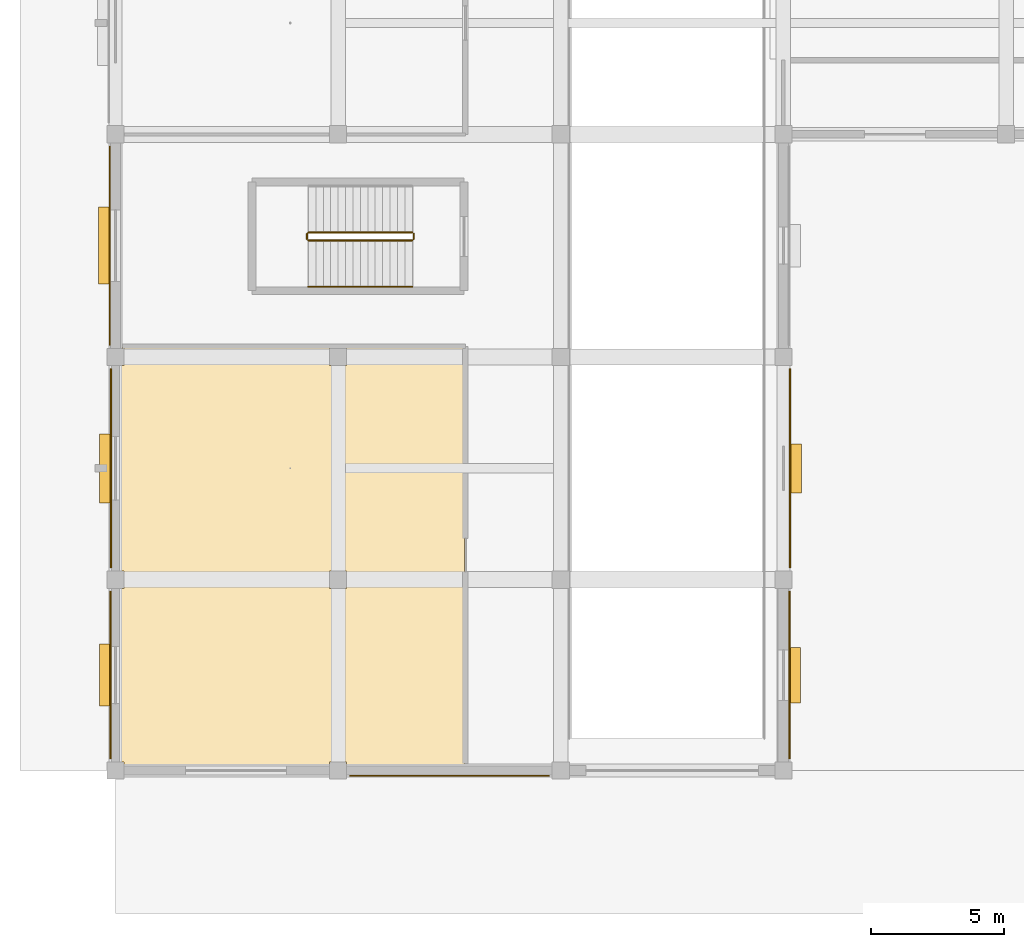
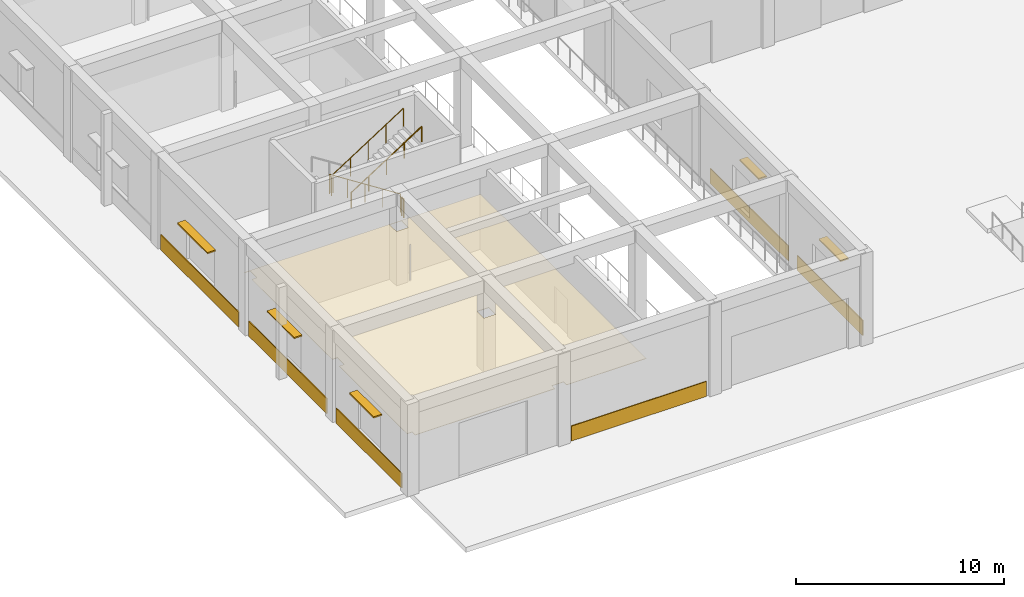
# One storey, part 141 of 167: 7 coverings, 5 railings, 5 shading devices.
"""IFC4 building model written with IfcOpenShell, lengths in metres."""

from ifc_helpers import new_model, si_unit, direction, frame, origin, origin_2d, place, context, subcontext, project, spatial, polyline, rectangle, circle, outline, extrude, material, layer, layer_set, type_object, element, save


model = new_model("IFC4")

# Units and contexts
model_context = context("Model", 3, precision=1e-05, world=origin(), true_north=direction((0.0, 1.0)))
body_context = subcontext(model_context, "Body", "Model", "MODEL_VIEW")
ifc_project = project(units=[si_unit("LENGTHUNIT", "METRE"), si_unit("AREAUNIT", "SQUARE_METRE"), si_unit("VOLUMEUNIT", "CUBIC_METRE"), si_unit("PLANEANGLEUNIT", "RADIAN"), si_unit("MASSUNIT", "GRAM", prefix="KILO")], contexts=[model_context])

# Site, building, storey
site_placement = place(None, origin())
site = spatial("IfcSite", under=ifc_project, at=site_placement, CompositionType="ELEMENT")
building_placement = place(site_placement, origin())
building = spatial("IfcBuilding", under=site, at=building_placement, Name="Varncliffe General Hospital", CompositionType="ELEMENT")
storey_placement = place(building_placement, origin())
storey = spatial("IfcBuildingStorey", under=building, at=storey_placement, Name="L00", CompositionType="ELEMENT", Elevation=0.0)

# Covering
ifc_material_1 = material(Name="Hygienic antimicrobial acoustic suspended ceiling tile", Category="gypsum")
ifc_layer_1 = layer(ifc_material_1, 0.02490234375)
ifc_layer_set_1 = layer_set([ifc_layer_1], Name="Hygienic antimicrobial acoustic suspended ceiling tile")
covering_type_1 = type_object("IfcCoveringType", Name="Antimicrobial Acoustic Suspended Ceiling CLG44", PredefinedType="CEILING", material=ifc_layer_set_1)
covering_1_placement = place(storey_placement, frame((0.0, 0.0, 3.175048828125)))
element("IfcCovering", 1, at=covering_1_placement, inside=storey, type_object=covering_type_1, Name="L00 Enclosed Six-Bay Ambulance Arrival Bay Suspended Ceiling", PredefinedType="CEILING", context=body_context, shape_type="SweptSolid", body=[
    extrude(outline(polyline([(8.72509765625, 0.0400390625), (8.72509765625, 0.324951171875), (8.074951171875, 0.324951171875), (8.074951171875, 0.0400390625), (0.324951171875, 0.0400390625), (0.324951171875, 0.324951171875), (0.0400390625, 0.324951171875), (0.0400390625, 6.875), (0.324951171875, 6.875), (0.324951171875, 7.52490234375), (0.0400390625, 7.52490234375), (0.0400390625, 15.27490234375), (0.324951171875, 15.27490234375), (0.324951171875, 15.925048828125), (0.0400390625, 15.925048828125), (0.0400390625, 15.9599609375), (13.159912109375, 15.9599609375), (13.159912109375, 0.0400390625), (8.72509765625, 0.0400390625)]), holes=[polyline([(8.72509765625, 6.875), (8.72509765625, 7.52490234375), (8.074951171875, 7.52490234375), (8.074951171875, 6.875), (8.72509765625, 6.875)]), polyline([(8.72509765625, 15.27490234375), (8.72509765625, 15.925048828125), (8.074951171875, 15.925048828125), (8.074951171875, 15.27490234375), (8.72509765625, 15.27490234375)])]), origin(), (0.0, 0.0, 1.0), 0.02490234375),
])

# Shading devices
ifc_material_2 = material(Name="Dark bronze extruded aluminium solar jalousie louvres", Category="aluminium")
ifc_layer_2 = layer(ifc_material_2, 0.080078125)
ifc_layer_set_2 = layer_set([ifc_layer_2], Name="Dark bronze extruded aluminium solar jalousie louvres")
shading_device_type = type_object("IfcShadingDeviceType", Name="Bronze Solar Jalousie Louvre Hood SHD18", PredefinedType="JALOUSIE", material=ifc_layer_set_2)
shading_device_1_placement = place(storey_placement, frame((25.64990234375, 11.39990234375, 3.06005859375), z_axis=(0.0, 0.0, 1.0), x_axis=(0.0, -1.0, 0.0)))
element("IfcShadingDevice", 2, at=shading_device_1_placement, inside=storey, type_object=shading_device_type, Name="L00 Bronze Window Sun-Shading Louvre 12", PredefinedType="JALOUSIE", context=body_context, shape_type="SweptSolid", body=[
    extrude(rectangle(XDim=1.85009765625, YDim=0.449951171875, at=origin_2d()), origin(), (0.0, 0.0, 1.0), 0.080078125),
])
shading_device_2_placement = place(storey_placement, frame((25.625, 3.60009765625, 3.06005859375), z_axis=(0.0, 0.0, 1.0), x_axis=(0.0, -1.0, 0.0)))
element("IfcShadingDevice", 3, at=shading_device_2_placement, inside=storey, type_object=shading_device_type, Name="L00 Bronze Window Sun-Shading Louvre 13", PredefinedType="JALOUSIE", context=body_context, shape_type="SweptSolid", body=[
    extrude(rectangle(XDim=2.10009765625, YDim=0.449951171875, at=origin_2d()), origin(), (0.0, 0.0, 1.0), 0.080078125),
])
shading_device_3_placement = place(storey_placement, frame((-0.3798828125, 3.60009765625, 3.06005859375), z_axis=(0.0, 0.0, 1.0), x_axis=(0.0, 1.0, 0.0)))
element("IfcShadingDevice", 4, at=shading_device_3_placement, inside=storey, type_object=shading_device_type, Name="L00 Bronze Window Sun-Shading Louvre 14", PredefinedType="JALOUSIE", context=body_context, shape_type="SweptSolid", body=[
    extrude(rectangle(XDim=2.35009765625, YDim=0.449951171875, at=origin_2d()), origin(), (0.0, 0.0, 1.0), 0.080078125),
])
shading_device_4_placement = place(storey_placement, frame((-0.3701171875, 11.39990234375, 3.06005859375), z_axis=(0.0, 0.0, 1.0), x_axis=(0.0, 1.0, 0.0)))
element("IfcShadingDevice", 5, at=shading_device_4_placement, inside=storey, type_object=shading_device_type, Name="L00 Bronze Window Sun-Shading Louvre 15", PredefinedType="JALOUSIE", context=body_context, shape_type="SweptSolid", body=[
    extrude(rectangle(XDim=2.60009765625, YDim=0.449951171875, at=origin_2d()), origin(), (0.0, 0.0, 1.0), 0.080078125),
])
shading_device_5_placement = place(storey_placement, frame((-0.4150390625, 19.800048828125, 3.06005859375), z_axis=(0.0, 0.0, 1.0), x_axis=(0.0, 1.0, 0.0)))
element("IfcShadingDevice", 6, at=shading_device_5_placement, inside=storey, type_object=shading_device_type, Name="L00 Bronze Window Sun-Shading Louvre 16", PredefinedType="JALOUSIE", context=body_context, shape_type="SweptSolid", body=[
    extrude(rectangle(XDim=2.89990234375, YDim=0.449951171875, at=origin_2d()), origin(), (0.0, 0.0, 1.0), 0.080078125),
])

# Coverings
ifc_material_3 = material(Name="Credit Valley buff limestone ashlar cladding", Category="masonry")
ifc_layer_3 = layer(ifc_material_3, 0.050048828125)
ifc_layer_set_3 = layer_set([ifc_layer_3], Name="Credit Valley buff limestone ashlar cladding")
covering_type_2 = type_object("IfcCoveringType", Name="Credit Valley Limestone Ashlar Plinth Cladding CLD17", PredefinedType="CLADDING", material=ifc_layer_set_3)
covering_2_placement = place(storey_placement, frame((25.449951171875, 11.39990234375, 0.010009765625), z_axis=(0.0, 0.0, 1.0), x_axis=(0.0, -1.0, 0.0)))
element("IfcCovering", 7, at=covering_2_placement, inside=storey, type_object=covering_type_2, Name="L00 Limestone Base Cladding 41", PredefinedType="CLADDING", context=body_context, shape_type="SweptSolid", body=[
    extrude(rectangle(XDim=7.513916015625, YDim=0.050048828125, at=origin_2d()), origin(), (0.0, 0.0, 1.0), 0.8798828125),
])
covering_3_placement = place(storey_placement, frame((25.425048828125, 3.60009765625, 0.010009765625), z_axis=(0.0, 0.0, 1.0), x_axis=(0.0, -1.0, 0.0)))
element("IfcCovering", 8, at=covering_3_placement, inside=storey, type_object=covering_type_2, Name="L00 Limestone Base Cladding 42", PredefinedType="CLADDING", context=body_context, shape_type="SweptSolid", body=[
    extrude(rectangle(XDim=6.31396484375, YDim=0.050048828125, at=origin_2d()), origin(), (0.0, 0.0, 1.0), 0.8798828125),
])
covering_4_placement = place(storey_placement, frame((12.60009765625, -0.199951171875, 0.010009765625), z_axis=(0.0, 0.0, 1.0), x_axis=(-1.0, 0.0, 0.0)))
element("IfcCovering", 9, at=covering_4_placement, inside=storey, type_object=covering_type_2, Name="L00 Limestone Base Cladding 43", PredefinedType="CLADDING", context=body_context, shape_type="SweptSolid", body=[
    extrude(rectangle(XDim=7.513916015625, YDim=0.050048828125, at=origin_2d()), origin(), (0.0, 0.0, 1.0), 0.8798828125),
])
covering_5_placement = place(storey_placement, frame((-0.179931640625, 3.60009765625, 0.010009765625), z_axis=(0.0, 0.0, 1.0), x_axis=(0.0, 1.0, 0.0)))
element("IfcCovering", 10, at=covering_5_placement, inside=storey, type_object=covering_type_2, Name="L00 Limestone Base Cladding 44", PredefinedType="CLADDING", context=body_context, shape_type="SweptSolid", body=[
    extrude(rectangle(XDim=6.31396484375, YDim=0.050048828125, at=origin_2d()), origin(), (0.0, 0.0, 1.0), 0.8798828125),
])
for number, where, z_axis, x_axis, name in (
    (11, (-0.169921875, 11.39990234375, 0.010009765625), (0.0, 0.0, 1.0), (0.0, 1.0, 0.0), "L00 Limestone Base Cladding 45"),
    (12, (-0.215087890625, 19.800048828125, 0.010009765625), (0.0, 0.0, 1.0), (0.0, 1.0, 0.0), "L00 Limestone Base Cladding 46"),
):
    element("IfcCovering", number, at=place(storey_placement, frame(where, z_axis=z_axis, x_axis=x_axis)), inside=storey, type_object=covering_type_2, Name=name, PredefinedType="CLADDING", context=body_context, shape_type="SweptSolid", body=[
        extrude(rectangle(XDim=7.513916015625, YDim=0.050048828125, at=origin_2d()), origin(), (0.0, 0.0, 1.0), 0.8798828125),
    ])

# Railings
ifc_material_4 = material(Name="Powder-coated hospital steel guardrail and handrail", Category="steel")
railing_type_1 = type_object("IfcRailingType", Name="Stair and Ramp Handrail HR46", PredefinedType="HANDRAIL", material=ifc_material_4)
railing_1_placement = place(storey_placement, frame((7.280029296875, 18.25, 3.06396484375)))
element("IfcRailing", 13, at=railing_1_placement, inside=storey, type_object=railing_type_1, Name="L00 ST08 stair handrail 2", PredefinedType="HANDRAIL", context=body_context, shape_type="SweptSolid", body=[
    extrude(circle(Radius=0.02392578125, at=origin_2d()), frame((0.0, 0.0, 0.8759765625), z_axis=(0.841171666519, 0.0, 0.540768182723), x_axis=(0.0, 1.0, 0.0)), (0.0, 0.0, 1.0), 4.66015625),
    extrude(circle(Radius=0.02099609375, at=origin_2d()), origin(), (0.0, 0.0, 1.0), 0.851806640625),
    extrude(circle(Radius=0.02099609375, at=origin_2d()), frame((0.97998046875, 0.0, 0.6298828125)), (0.0, 0.0, 1.0), 0.851806640625),
    extrude(circle(Radius=0.02099609375, at=origin_2d()), frame((1.9599609375, 0.0, 1.260009765625)), (0.0, 0.0, 1.0), 0.851806640625),
    extrude(circle(Radius=0.02099609375, at=origin_2d()), frame((2.93994140625, 0.0, 1.89013671875)), (0.0, 0.0, 1.0), 0.851806640625),
    extrude(circle(Radius=0.02099609375, at=origin_2d()), frame((3.919921875, 0.0, 2.52001953125)), (0.0, 0.0, 1.0), 0.851806640625),
])
railing_type_2 = type_object("IfcRailingType", Name="Stairwell Guardrail SG49", PredefinedType="GUARDRAIL", material=ifc_material_4)
railing_2_placement = place(storey_placement, frame((11.199951171875, 20.300048828125, 0.179931640625)))
element("IfcRailing", 14, at=railing_2_placement, inside=storey, type_object=railing_type_2, Name="L00 ST08 stair guard 1", PredefinedType="GUARDRAIL", context=body_context, shape_type="SweptSolid", body=[
    extrude(circle(Radius=0.02392578125, at=origin_2d()), frame((0.0, 0.0, 1.076171875), z_axis=(-0.841171666519, 0.0, 0.540768182723), x_axis=(0.0, -1.0, 0.0)), (0.0, 0.0, 1.0), 4.66015625),
    extrude(circle(Radius=0.02099609375, at=origin_2d()), origin(), (0.0, 0.0, 1.0), 1.052001953125),
    extrude(circle(Radius=0.02099609375, at=origin_2d()), frame((-0.97998046875, 0.0, 0.6298828125)), (0.0, 0.0, 1.0), 1.052001953125),
    extrude(circle(Radius=0.02099609375, at=origin_2d()), frame((-1.9599609375, 0.0, 1.260009765625)), (0.0, 0.0, 1.0), 1.052001953125),
    extrude(circle(Radius=0.02099609375, at=origin_2d()), frame((-2.93994140625, 0.0, 1.89013671875)), (0.0, 0.0, 1.0), 1.052001953125),
    extrude(circle(Radius=0.02099609375, at=origin_2d()), frame((-3.919921875, 0.0, 2.52001953125)), (0.0, 0.0, 1.0), 1.052001953125),
])
railing_3_placement = place(storey_placement, frame((7.22998046875, 20.25, 2.699951171875)))
element("IfcRailing", 15, at=railing_3_placement, inside=storey, type_object=railing_type_2, Name="L00 ST08 stair guard 2", PredefinedType="GUARDRAIL", context=body_context, shape_type="SweptSolid", body=[
    extrude(circle(Radius=0.02392578125, at=origin_2d()), frame((0.0, 0.0, 1.076171875), z_axis=(0.0, -1.0, 0.0), x_axis=(1.0, 0.0, 0.0)), (0.0, 0.0, 1.0), 0.199951171875),
    extrude(circle(Radius=0.02099609375, at=origin_2d()), origin(), (0.0, 0.0, 1.0), 1.052001953125),
    extrude(circle(Radius=0.02099609375, at=origin_2d()), frame((0.0, -0.199951171875, 0.0)), (0.0, 0.0, 1.0), 1.052001953125),
])
railing_4_placement = place(storey_placement, frame((7.280029296875, 20.0, 2.8798828125)))
element("IfcRailing", 16, at=railing_4_placement, inside=storey, type_object=railing_type_2, Name="L00 ST08 stair guard 3", PredefinedType="GUARDRAIL", context=body_context, shape_type="SweptSolid", body=[
    extrude(circle(Radius=0.02392578125, at=origin_2d()), frame((0.0, 0.0, 1.076171875), z_axis=(0.841171666519, 0.0, 0.540768182723), x_axis=(0.0, 1.0, 0.0)), (0.0, 0.0, 1.0), 4.66015625),
    extrude(circle(Radius=0.02099609375, at=origin_2d()), origin(), (0.0, 0.0, 1.0), 1.052001953125),
    extrude(circle(Radius=0.02099609375, at=origin_2d()), frame((0.97998046875, 0.0, 0.6298828125)), (0.0, 0.0, 1.0), 1.052001953125),
    extrude(circle(Radius=0.02099609375, at=origin_2d()), frame((1.9599609375, 0.0, 1.260009765625)), (0.0, 0.0, 1.0), 1.052001953125),
    extrude(circle(Radius=0.02099609375, at=origin_2d()), frame((2.93994140625, 0.0, 1.89013671875)), (0.0, 0.0, 1.0), 1.052001953125),
    extrude(circle(Radius=0.02099609375, at=origin_2d()), frame((3.919921875, 0.0, 2.52001953125)), (0.0, 0.0, 1.0), 1.052001953125),
])
railing_5_placement = place(storey_placement, frame((11.25, 20.25, 0.0)))
element("IfcRailing", 17, at=railing_5_placement, inside=storey, type_object=railing_type_2, Name="L00 ST08 stair guard 4", PredefinedType="GUARDRAIL", context=body_context, shape_type="SweptSolid", body=[
    extrude(circle(Radius=0.02392578125, at=origin_2d()), frame((0.0, 0.0, 1.076171875), z_axis=(0.0, -1.0, 0.0), x_axis=(1.0, 0.0, 0.0)), (0.0, 0.0, 1.0), 0.199951171875),
    extrude(circle(Radius=0.02099609375, at=origin_2d()), origin(), (0.0, 0.0, 1.0), 1.052001953125),
    extrude(circle(Radius=0.02099609375, at=origin_2d()), frame((0.0, -0.199951171875, 0.0)), (0.0, 0.0, 1.0), 1.052001953125),
])

save(model, "model.ifc")
